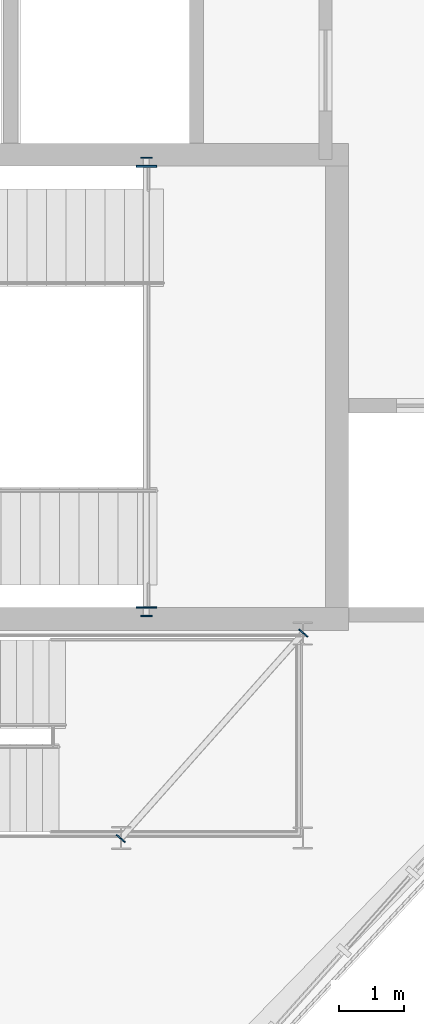
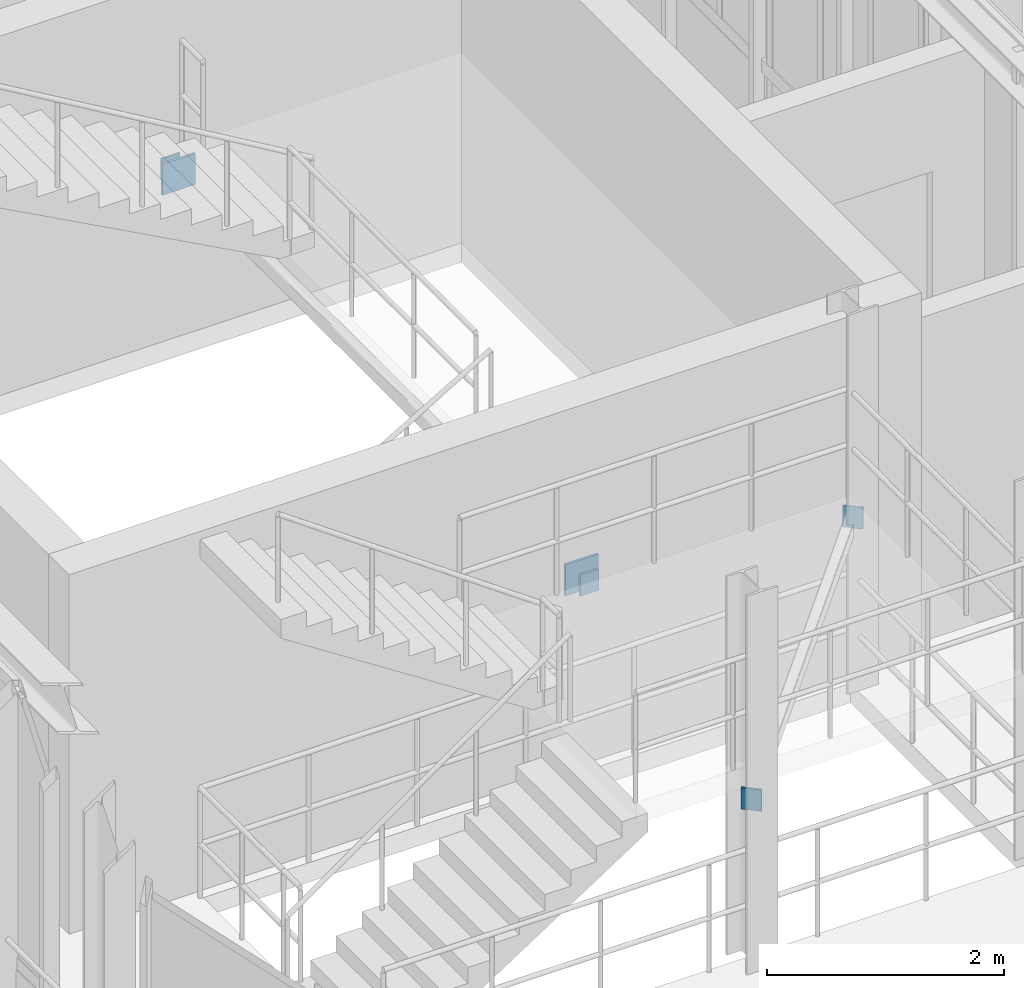
# One storey, part 23 of 41: 6 plates.
"""IFC4 building model written with IfcOpenShell, lengths in metres."""

from ifc_helpers import new_model, si_unit, direction, frame, origin, origin_2d, place, context, subcontext, project, spatial, rectangle, extrude, material, layer, layer_set, type_object, element, save


model = new_model("IFC4")

# Units and contexts
model_context = context("Model", 3, precision=1e-05, world=origin(), true_north=direction((0.0, 1.0)))
body_context = subcontext(model_context, "Body", "Model", "MODEL_VIEW")
ifc_project = project(units=[si_unit("LENGTHUNIT", "METRE"), si_unit("AREAUNIT", "SQUARE_METRE"), si_unit("VOLUMEUNIT", "CUBIC_METRE"), si_unit("PLANEANGLEUNIT", "RADIAN"), si_unit("MASSUNIT", "GRAM", prefix="KILO"), si_unit("THERMODYNAMICTEMPERATUREUNIT", "KELVIN"), si_unit("POWERUNIT", "WATT")], contexts=[model_context])

# Site, building, storey
site_placement = place(None, origin())
site = spatial("IfcSite", under=ifc_project, at=site_placement, CompositionType="ELEMENT")
building_placement = place(site_placement, origin())
building = spatial("IfcBuilding", under=site, at=building_placement, Name="Solvatero Civic Police Headquarters", CompositionType="ELEMENT")
storey_placement = place(building_placement, frame((0.0, 0.0, 17.699951171875)))
storey = spatial("IfcBuildingStorey", under=building, at=storey_placement, Name="L04", CompositionType="ELEMENT", Elevation=17.699951171875)

# Plates
ifc_material = material(Name="Steel S355", Category="steel")
ifc_layer_1 = layer(ifc_material, 0.02001953125)
ifc_layer_set_1 = layer_set([ifc_layer_1], Name="Steel S355")
plate_type_1 = type_object("IfcPlateType", Name="PLT-CAP-20", PredefinedType="SHEET", material=ifc_layer_set_1)
for number, where, z_axis, x_axis, name in (
    (1, (43.0400390625, 15.8701171875, 1.56494140625), (0.0, 0.0, 1.0), (1.0, 0.0, 0.0), "Hollow Section Cap Plate 0013"),
    (2, (43.0400390625, 22.929931640625, 1.56494140625), (0.0, 0.0, 1.0), (1.0, 0.0, 0.0), "Hollow Section Cap Plate 0014"),
):
    element("IfcPlate", number, at=place(storey_placement, frame(where, z_axis=z_axis, x_axis=x_axis)), inside=storey, type_object=plate_type_1, Name=name, PredefinedType="SHEET", context=body_context, shape_type="SweptSolid", body=[
        extrude(rectangle(XDim=0.179931640625, YDim=0.02001953125, at=origin_2d()), origin(), (0.0, 0.0, 1.0), 0.219970703125),
    ])
for number, where, z_axis, x_axis, name in (
    (3, (42.643310546875, 12.4423828125, 1.55029296875), (0.0, 0.0, 1.0), (0.664369848049, 0.747403977112, 0.0), "Hollow Section Cap Plate 0085"),
    (4, (45.45654296875, 15.607421875, 1.55029296875), (0.0, 0.0, 1.0), (0.664369848049, 0.747403977112, 0.0), "Hollow Section Cap Plate 0086"),
):
    element("IfcPlate", number, at=place(storey_placement, frame(where, z_axis=z_axis, x_axis=x_axis)), inside=storey, type_object=plate_type_1, Name=name, PredefinedType="SHEET", context=body_context, shape_type="SweptSolid", body=[
        extrude(rectangle(XDim=0.02001953125, YDim=0.179931640625, at=origin_2d()), origin(), (0.0, 0.0, 1.0), 0.219970703125),
    ])
ifc_layer_2 = layer(ifc_material, 0.02490234375)
ifc_layer_set_2 = layer_set([ifc_layer_2], Name="Steel S355")
plate_type_2 = type_object("IfcPlateType", Name="PLT-EMB-25", PredefinedType="SHEET", material=ifc_layer_set_2)
for number, where, z_axis, x_axis, name in (
    (5, (43.0400390625, 16.0, 1.51513671875), (0.0, 0.0, 1.0), (1.0, 0.0, 0.0), "Cast-In Shear Wall Embed Plate 0013"),
    (6, (43.0400390625, 22.800048828125, 1.51513671875), (0.0, 0.0, 1.0), (1.0, 0.0, 0.0), "Cast-In Shear Wall Embed Plate 0014"),
):
    element("IfcPlate", number, at=place(storey_placement, frame(where, z_axis=z_axis, x_axis=x_axis)), inside=storey, type_object=plate_type_2, Name=name, PredefinedType="SHEET", context=body_context, shape_type="SweptSolid", body=[
        extrude(rectangle(XDim=0.320068359375, YDim=0.02490234375, at=origin_2d()), origin(), (0.0, 0.0, 1.0), 0.320068359375),
    ])

save(model, "model.ifc")
